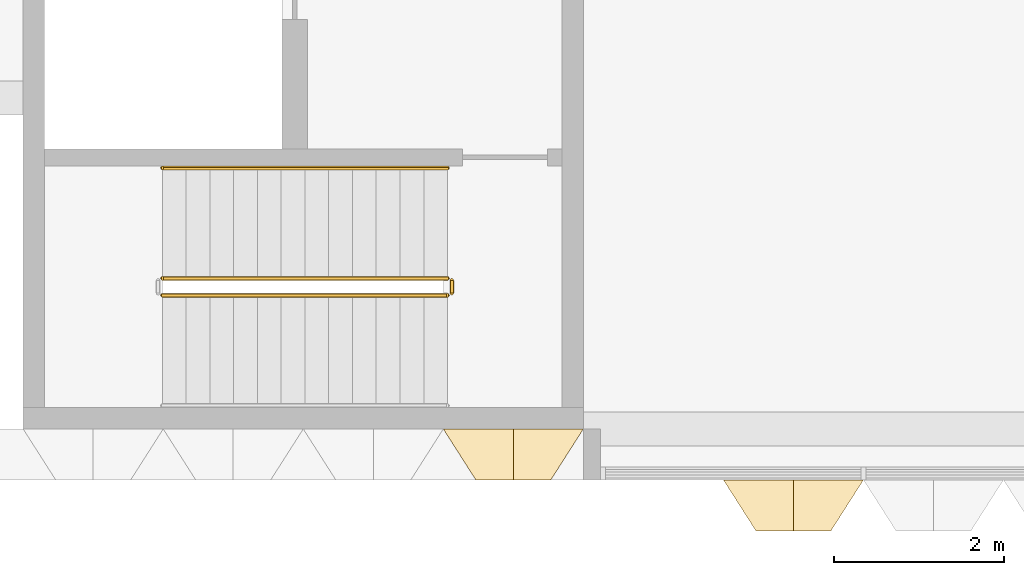
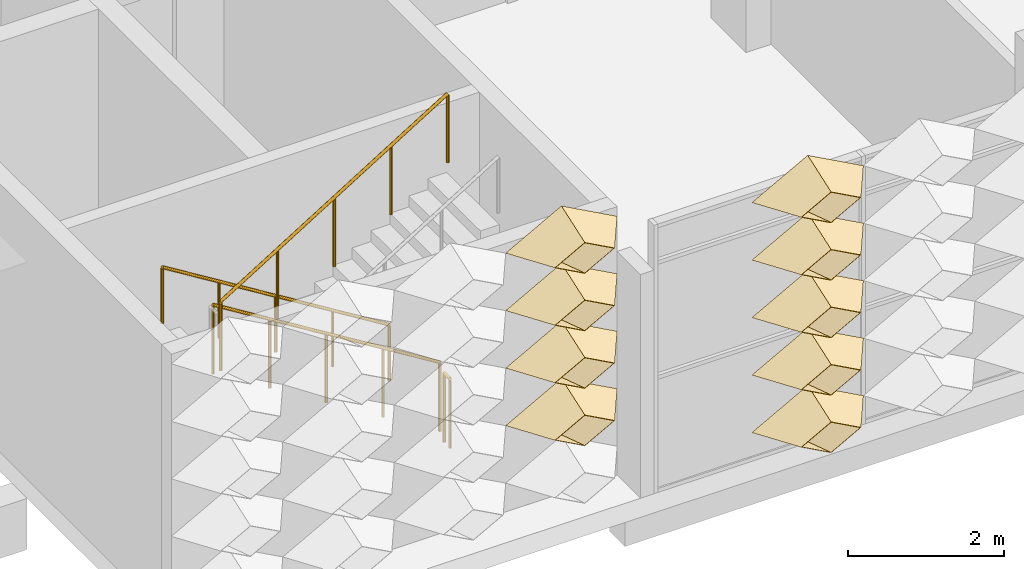
# One storey, part 46 of 87: 9 coverings, 4 railings.
"""IFC4 building model written with IfcOpenShell, lengths in metres."""

from ifc_helpers import new_model, entity, si_unit, direction, frame, origin, origin_2d, place, context, subcontext, project, spatial, circle, extrude, material, layer, layer_set, type_object, element, save


model = new_model("IFC4")

# Units and contexts
model_context = context("Model", 3, precision=1e-05, world=origin(), true_north=direction((0.0, 1.0)))
body_context = subcontext(model_context, "Body", "Model", "MODEL_VIEW")
ifc_project = project(units=[si_unit("LENGTHUNIT", "METRE"), si_unit("AREAUNIT", "SQUARE_METRE"), si_unit("VOLUMEUNIT", "CUBIC_METRE"), si_unit("PLANEANGLEUNIT", "RADIAN"), si_unit("MASSUNIT", "GRAM", prefix="KILO")], contexts=[model_context])

# Site, building, storey
site_placement = place(None, origin())
site = spatial("IfcSite", under=ifc_project, at=site_placement, CompositionType="ELEMENT")
building_placement = place(site_placement, origin())
building = spatial("IfcBuilding", under=site, at=building_placement, Name="Lantern Court Research Institute", CompositionType="ELEMENT")
storey_placement = place(building_placement, frame((0.0, 0.0, 5.39990234375)))
storey = spatial("IfcBuildingStorey", under=building, at=storey_placement, Name="L01", CompositionType="ELEMENT", Elevation=5.39990234375)

# Coverings
ifc_material_1 = material(Name="Anodised aluminium", Category="aluminium")
ifc_layer = layer(ifc_material_1, 0.01611328125)
ifc_layer_set = layer_set([ifc_layer], Name="Anodised aluminium")
covering_type = type_object("IfcCoveringType", Name="Fin cassette 1650 x 900 x 600 aluminium", PredefinedType="CLADDING", material=ifc_layer_set)
covering_1_placement = place(storey_placement, frame((58.574951171875, -7.800048828125, 1.35009765625), z_axis=(0.0, -1.0, 0.0), x_axis=(1.0, 0.0, 0.0)))
cartesian_point_1 = entity("IfcCartesianPoint", [0.824951171875, 0.0])
cartesian_point_2 = entity("IfcCartesianPoint", [0.79150390625, 0.0])
cartesian_point_3 = entity("IfcCartesianPoint", [0.44189453125, 0.0])
cartesian_point_4 = entity("IfcCartesianPoint", [0.43359375, 0.0])
element("IfcCovering", 1, at=covering_1_placement, inside=storey, type_object=covering_type, Name="Fin cassette V5S-L01 2.36", PredefinedType="CLADDING", context=body_context, shape_type="SweptSolid", body=[
    entity("IfcExtrudedAreaSolidTapered", entity("IfcArbitraryProfileDefWithVoids", "AREA", None, entity("IfcPolyline", [cartesian_point_1, entity("IfcCartesianPoint", [0.0, 0.449951171875]), entity("IfcCartesianPoint", [-0.824951171875, 0.0]), entity("IfcCartesianPoint", [0.0, -0.449951171875]), cartesian_point_1]), [entity("IfcPolyline", [cartesian_point_2, entity("IfcCartesianPoint", [0.0, 0.431884765625]), entity("IfcCartesianPoint", [-0.79150390625, 0.0]), entity("IfcCartesianPoint", [0.0, -0.431884765625]), cartesian_point_2])]), entity("IfcAxis2Placement3D", entity("IfcCartesianPoint", [0.0, 0.0, 0.0])), entity("IfcDirection", [0.0, 0.0, 1.0]), 0.60009765625, entity("IfcArbitraryProfileDefWithVoids", "AREA", None, entity("IfcPolyline", [cartesian_point_3, entity("IfcCartesianPoint", [0.0, 0.240966796875]), entity("IfcCartesianPoint", [-0.44189453125, 0.0]), entity("IfcCartesianPoint", [0.0, -0.240966796875]), cartesian_point_3]), [entity("IfcPolyline", [cartesian_point_4, entity("IfcCartesianPoint", [0.0, 0.236572265625]), entity("IfcCartesianPoint", [-0.43359375, 0.0]), entity("IfcCartesianPoint", [0.0, -0.236572265625]), cartesian_point_4])])),
])
covering_2_placement = place(storey_placement, frame((58.574951171875, -7.800048828125, 2.25), z_axis=(0.0, -1.0, 0.0), x_axis=(1.0, 0.0, 0.0)))
cartesian_point_5 = entity("IfcCartesianPoint", [0.824951171875, 0.0])
cartesian_point_6 = entity("IfcCartesianPoint", [0.79150390625, 0.0])
cartesian_point_7 = entity("IfcCartesianPoint", [0.44189453125, 0.0])
cartesian_point_8 = entity("IfcCartesianPoint", [0.43359375, 0.0])
element("IfcCovering", 2, at=covering_2_placement, inside=storey, type_object=covering_type, Name="Fin cassette V5S-L01 3.36", PredefinedType="CLADDING", context=body_context, shape_type="SweptSolid", body=[
    entity("IfcExtrudedAreaSolidTapered", entity("IfcArbitraryProfileDefWithVoids", "AREA", None, entity("IfcPolyline", [cartesian_point_5, entity("IfcCartesianPoint", [0.0, 0.449951171875]), entity("IfcCartesianPoint", [-0.824951171875, 0.0]), entity("IfcCartesianPoint", [0.0, -0.449951171875]), cartesian_point_5]), [entity("IfcPolyline", [cartesian_point_6, entity("IfcCartesianPoint", [0.0, 0.431884765625]), entity("IfcCartesianPoint", [-0.79150390625, 0.0]), entity("IfcCartesianPoint", [0.0, -0.431884765625]), cartesian_point_6])]), entity("IfcAxis2Placement3D", entity("IfcCartesianPoint", [0.0, 0.0, 0.0])), entity("IfcDirection", [0.0, 0.0, 1.0]), 0.60009765625, entity("IfcArbitraryProfileDefWithVoids", "AREA", None, entity("IfcPolyline", [cartesian_point_7, entity("IfcCartesianPoint", [0.0, 0.240966796875]), entity("IfcCartesianPoint", [-0.44189453125, 0.0]), entity("IfcCartesianPoint", [0.0, -0.240966796875]), cartesian_point_7]), [entity("IfcPolyline", [cartesian_point_8, entity("IfcCartesianPoint", [0.0, 0.236572265625]), entity("IfcCartesianPoint", [-0.43359375, 0.0]), entity("IfcCartesianPoint", [0.0, -0.236572265625]), cartesian_point_8])])),
])
covering_3_placement = place(storey_placement, frame((58.574951171875, -7.800048828125, 3.150146484375), z_axis=(0.0, -1.0, 0.0), x_axis=(1.0, 0.0, 0.0)))
cartesian_point_9 = entity("IfcCartesianPoint", [0.824951171875, 0.0])
cartesian_point_10 = entity("IfcCartesianPoint", [0.79150390625, 0.0])
cartesian_point_11 = entity("IfcCartesianPoint", [0.44189453125, 0.0])
cartesian_point_12 = entity("IfcCartesianPoint", [0.43359375, 0.0])
element("IfcCovering", 3, at=covering_3_placement, inside=storey, type_object=covering_type, Name="Fin cassette V5S-L01 4.36", PredefinedType="CLADDING", context=body_context, shape_type="SweptSolid", body=[
    entity("IfcExtrudedAreaSolidTapered", entity("IfcArbitraryProfileDefWithVoids", "AREA", None, entity("IfcPolyline", [cartesian_point_9, entity("IfcCartesianPoint", [0.0, 0.449951171875]), entity("IfcCartesianPoint", [-0.824951171875, 0.0]), entity("IfcCartesianPoint", [0.0, -0.449951171875]), cartesian_point_9]), [entity("IfcPolyline", [cartesian_point_10, entity("IfcCartesianPoint", [0.0, 0.431884765625]), entity("IfcCartesianPoint", [-0.79150390625, 0.0]), entity("IfcCartesianPoint", [0.0, -0.431884765625]), cartesian_point_10])]), entity("IfcAxis2Placement3D", entity("IfcCartesianPoint", [0.0, 0.0, 0.0])), entity("IfcDirection", [0.0, 0.0, 1.0]), 0.60009765625, entity("IfcArbitraryProfileDefWithVoids", "AREA", None, entity("IfcPolyline", [cartesian_point_11, entity("IfcCartesianPoint", [0.0, 0.240966796875]), entity("IfcCartesianPoint", [-0.44189453125, 0.0]), entity("IfcCartesianPoint", [0.0, -0.240966796875]), cartesian_point_11]), [entity("IfcPolyline", [cartesian_point_12, entity("IfcCartesianPoint", [0.0, 0.236572265625]), entity("IfcCartesianPoint", [-0.43359375, 0.0]), entity("IfcCartesianPoint", [0.0, -0.236572265625]), cartesian_point_12])])),
])
covering_4_placement = place(storey_placement, frame((58.574951171875, -7.800048828125, 4.050048828125), z_axis=(0.0, -1.0, 0.0), x_axis=(1.0, 0.0, 0.0)))
cartesian_point_13 = entity("IfcCartesianPoint", [0.824951171875, 0.0])
cartesian_point_14 = entity("IfcCartesianPoint", [0.79150390625, 0.0])
cartesian_point_15 = entity("IfcCartesianPoint", [0.44189453125, 0.0])
cartesian_point_16 = entity("IfcCartesianPoint", [0.43359375, 0.0])
element("IfcCovering", 4, at=covering_4_placement, inside=storey, type_object=covering_type, Name="Fin cassette V5S-L01 5.36", PredefinedType="CLADDING", context=body_context, shape_type="SweptSolid", body=[
    entity("IfcExtrudedAreaSolidTapered", entity("IfcArbitraryProfileDefWithVoids", "AREA", None, entity("IfcPolyline", [cartesian_point_13, entity("IfcCartesianPoint", [0.0, 0.449951171875]), entity("IfcCartesianPoint", [-0.824951171875, 0.0]), entity("IfcCartesianPoint", [0.0, -0.449951171875]), cartesian_point_13]), [entity("IfcPolyline", [cartesian_point_14, entity("IfcCartesianPoint", [0.0, 0.431884765625]), entity("IfcCartesianPoint", [-0.79150390625, 0.0]), entity("IfcCartesianPoint", [0.0, -0.431884765625]), cartesian_point_14])]), entity("IfcAxis2Placement3D", entity("IfcCartesianPoint", [0.0, 0.0, 0.0])), entity("IfcDirection", [0.0, 0.0, 1.0]), 0.60009765625, entity("IfcArbitraryProfileDefWithVoids", "AREA", None, entity("IfcPolyline", [cartesian_point_15, entity("IfcCartesianPoint", [0.0, 0.240966796875]), entity("IfcCartesianPoint", [-0.44189453125, 0.0]), entity("IfcCartesianPoint", [0.0, -0.240966796875]), cartesian_point_15]), [entity("IfcPolyline", [cartesian_point_16, entity("IfcCartesianPoint", [0.0, 0.236572265625]), entity("IfcCartesianPoint", [-0.43359375, 0.0]), entity("IfcCartesianPoint", [0.0, -0.236572265625]), cartesian_point_16])])),
])
covering_5_placement = place(storey_placement, frame((61.875, -8.39990234375, 0.4501953125), z_axis=(0.0, -1.0, 0.0), x_axis=(1.0, 0.0, 0.0)))
cartesian_point_17 = entity("IfcCartesianPoint", [0.824951171875, 0.0])
cartesian_point_18 = entity("IfcCartesianPoint", [0.79150390625, 0.0])
cartesian_point_19 = entity("IfcCartesianPoint", [0.44189453125, 0.0])
cartesian_point_20 = entity("IfcCartesianPoint", [0.43359375, 0.0])
element("IfcCovering", 5, at=covering_5_placement, inside=storey, type_object=covering_type, Name="Fin cassette V5S-L01 1.38", PredefinedType="CLADDING", context=body_context, shape_type="SweptSolid", body=[
    entity("IfcExtrudedAreaSolidTapered", entity("IfcArbitraryProfileDefWithVoids", "AREA", None, entity("IfcPolyline", [cartesian_point_17, entity("IfcCartesianPoint", [0.0, 0.449951171875]), entity("IfcCartesianPoint", [-0.824951171875, 0.0]), entity("IfcCartesianPoint", [0.0, -0.449951171875]), cartesian_point_17]), [entity("IfcPolyline", [cartesian_point_18, entity("IfcCartesianPoint", [0.0, 0.431884765625]), entity("IfcCartesianPoint", [-0.79150390625, 0.0]), entity("IfcCartesianPoint", [0.0, -0.431884765625]), cartesian_point_18])]), entity("IfcAxis2Placement3D", entity("IfcCartesianPoint", [0.0, 0.0, 0.0])), entity("IfcDirection", [0.0, 0.0, 1.0]), 0.60009765625, entity("IfcArbitraryProfileDefWithVoids", "AREA", None, entity("IfcPolyline", [cartesian_point_19, entity("IfcCartesianPoint", [0.0, 0.240966796875]), entity("IfcCartesianPoint", [-0.44189453125, 0.0]), entity("IfcCartesianPoint", [0.0, -0.240966796875]), cartesian_point_19]), [entity("IfcPolyline", [cartesian_point_20, entity("IfcCartesianPoint", [0.0, 0.236572265625]), entity("IfcCartesianPoint", [-0.43359375, 0.0]), entity("IfcCartesianPoint", [0.0, -0.236572265625]), cartesian_point_20])])),
])
covering_6_placement = place(storey_placement, frame((61.875, -8.39990234375, 1.35009765625), z_axis=(0.0, -1.0, 0.0), x_axis=(1.0, 0.0, 0.0)))
cartesian_point_21 = entity("IfcCartesianPoint", [0.824951171875, 0.0])
cartesian_point_22 = entity("IfcCartesianPoint", [0.79150390625, 0.0])
cartesian_point_23 = entity("IfcCartesianPoint", [0.44189453125, 0.0])
cartesian_point_24 = entity("IfcCartesianPoint", [0.43359375, 0.0])
element("IfcCovering", 6, at=covering_6_placement, inside=storey, type_object=covering_type, Name="Fin cassette V5S-L01 2.38", PredefinedType="CLADDING", context=body_context, shape_type="SweptSolid", body=[
    entity("IfcExtrudedAreaSolidTapered", entity("IfcArbitraryProfileDefWithVoids", "AREA", None, entity("IfcPolyline", [cartesian_point_21, entity("IfcCartesianPoint", [0.0, 0.449951171875]), entity("IfcCartesianPoint", [-0.824951171875, 0.0]), entity("IfcCartesianPoint", [0.0, -0.449951171875]), cartesian_point_21]), [entity("IfcPolyline", [cartesian_point_22, entity("IfcCartesianPoint", [0.0, 0.431884765625]), entity("IfcCartesianPoint", [-0.79150390625, 0.0]), entity("IfcCartesianPoint", [0.0, -0.431884765625]), cartesian_point_22])]), entity("IfcAxis2Placement3D", entity("IfcCartesianPoint", [0.0, 0.0, 0.0])), entity("IfcDirection", [0.0, 0.0, 1.0]), 0.60009765625, entity("IfcArbitraryProfileDefWithVoids", "AREA", None, entity("IfcPolyline", [cartesian_point_23, entity("IfcCartesianPoint", [0.0, 0.240966796875]), entity("IfcCartesianPoint", [-0.44189453125, 0.0]), entity("IfcCartesianPoint", [0.0, -0.240966796875]), cartesian_point_23]), [entity("IfcPolyline", [cartesian_point_24, entity("IfcCartesianPoint", [0.0, 0.236572265625]), entity("IfcCartesianPoint", [-0.43359375, 0.0]), entity("IfcCartesianPoint", [0.0, -0.236572265625]), cartesian_point_24])])),
])
covering_7_placement = place(storey_placement, frame((61.875, -8.39990234375, 2.25), z_axis=(0.0, -1.0, 0.0), x_axis=(1.0, 0.0, 0.0)))
cartesian_point_25 = entity("IfcCartesianPoint", [0.824951171875, 0.0])
cartesian_point_26 = entity("IfcCartesianPoint", [0.79150390625, 0.0])
cartesian_point_27 = entity("IfcCartesianPoint", [0.44189453125, 0.0])
cartesian_point_28 = entity("IfcCartesianPoint", [0.43359375, 0.0])
element("IfcCovering", 7, at=covering_7_placement, inside=storey, type_object=covering_type, Name="Fin cassette V5S-L01 3.38", PredefinedType="CLADDING", context=body_context, shape_type="SweptSolid", body=[
    entity("IfcExtrudedAreaSolidTapered", entity("IfcArbitraryProfileDefWithVoids", "AREA", None, entity("IfcPolyline", [cartesian_point_25, entity("IfcCartesianPoint", [0.0, 0.449951171875]), entity("IfcCartesianPoint", [-0.824951171875, 0.0]), entity("IfcCartesianPoint", [0.0, -0.449951171875]), cartesian_point_25]), [entity("IfcPolyline", [cartesian_point_26, entity("IfcCartesianPoint", [0.0, 0.431884765625]), entity("IfcCartesianPoint", [-0.79150390625, 0.0]), entity("IfcCartesianPoint", [0.0, -0.431884765625]), cartesian_point_26])]), entity("IfcAxis2Placement3D", entity("IfcCartesianPoint", [0.0, 0.0, 0.0])), entity("IfcDirection", [0.0, 0.0, 1.0]), 0.60009765625, entity("IfcArbitraryProfileDefWithVoids", "AREA", None, entity("IfcPolyline", [cartesian_point_27, entity("IfcCartesianPoint", [0.0, 0.240966796875]), entity("IfcCartesianPoint", [-0.44189453125, 0.0]), entity("IfcCartesianPoint", [0.0, -0.240966796875]), cartesian_point_27]), [entity("IfcPolyline", [cartesian_point_28, entity("IfcCartesianPoint", [0.0, 0.236572265625]), entity("IfcCartesianPoint", [-0.43359375, 0.0]), entity("IfcCartesianPoint", [0.0, -0.236572265625]), cartesian_point_28])])),
])
covering_8_placement = place(storey_placement, frame((61.875, -8.39990234375, 3.150146484375), z_axis=(0.0, -1.0, 0.0), x_axis=(1.0, 0.0, 0.0)))
cartesian_point_29 = entity("IfcCartesianPoint", [0.824951171875, 0.0])
cartesian_point_30 = entity("IfcCartesianPoint", [0.79150390625, 0.0])
cartesian_point_31 = entity("IfcCartesianPoint", [0.44189453125, 0.0])
cartesian_point_32 = entity("IfcCartesianPoint", [0.43359375, 0.0])
element("IfcCovering", 8, at=covering_8_placement, inside=storey, type_object=covering_type, Name="Fin cassette V5S-L01 4.38", PredefinedType="CLADDING", context=body_context, shape_type="SweptSolid", body=[
    entity("IfcExtrudedAreaSolidTapered", entity("IfcArbitraryProfileDefWithVoids", "AREA", None, entity("IfcPolyline", [cartesian_point_29, entity("IfcCartesianPoint", [0.0, 0.449951171875]), entity("IfcCartesianPoint", [-0.824951171875, 0.0]), entity("IfcCartesianPoint", [0.0, -0.449951171875]), cartesian_point_29]), [entity("IfcPolyline", [cartesian_point_30, entity("IfcCartesianPoint", [0.0, 0.431884765625]), entity("IfcCartesianPoint", [-0.79150390625, 0.0]), entity("IfcCartesianPoint", [0.0, -0.431884765625]), cartesian_point_30])]), entity("IfcAxis2Placement3D", entity("IfcCartesianPoint", [0.0, 0.0, 0.0])), entity("IfcDirection", [0.0, 0.0, 1.0]), 0.60009765625, entity("IfcArbitraryProfileDefWithVoids", "AREA", None, entity("IfcPolyline", [cartesian_point_31, entity("IfcCartesianPoint", [0.0, 0.240966796875]), entity("IfcCartesianPoint", [-0.44189453125, 0.0]), entity("IfcCartesianPoint", [0.0, -0.240966796875]), cartesian_point_31]), [entity("IfcPolyline", [cartesian_point_32, entity("IfcCartesianPoint", [0.0, 0.236572265625]), entity("IfcCartesianPoint", [-0.43359375, 0.0]), entity("IfcCartesianPoint", [0.0, -0.236572265625]), cartesian_point_32])])),
])
covering_9_placement = place(storey_placement, frame((61.875, -8.39990234375, 4.050048828125), z_axis=(0.0, -1.0, 0.0), x_axis=(1.0, 0.0, 0.0)))
cartesian_point_33 = entity("IfcCartesianPoint", [0.824951171875, 0.0])
cartesian_point_34 = entity("IfcCartesianPoint", [0.79150390625, 0.0])
cartesian_point_35 = entity("IfcCartesianPoint", [0.44189453125, 0.0])
cartesian_point_36 = entity("IfcCartesianPoint", [0.43359375, 0.0])
element("IfcCovering", 9, at=covering_9_placement, inside=storey, type_object=covering_type, Name="Fin cassette V5S-L01 5.38", PredefinedType="CLADDING", context=body_context, shape_type="SweptSolid", body=[
    entity("IfcExtrudedAreaSolidTapered", entity("IfcArbitraryProfileDefWithVoids", "AREA", None, entity("IfcPolyline", [cartesian_point_33, entity("IfcCartesianPoint", [0.0, 0.449951171875]), entity("IfcCartesianPoint", [-0.824951171875, 0.0]), entity("IfcCartesianPoint", [0.0, -0.449951171875]), cartesian_point_33]), [entity("IfcPolyline", [cartesian_point_34, entity("IfcCartesianPoint", [0.0, 0.431884765625]), entity("IfcCartesianPoint", [-0.79150390625, 0.0]), entity("IfcCartesianPoint", [0.0, -0.431884765625]), cartesian_point_34])]), entity("IfcAxis2Placement3D", entity("IfcCartesianPoint", [0.0, 0.0, 0.0])), entity("IfcDirection", [0.0, 0.0, 1.0]), 0.60009765625, entity("IfcArbitraryProfileDefWithVoids", "AREA", None, entity("IfcPolyline", [cartesian_point_35, entity("IfcCartesianPoint", [0.0, 0.240966796875]), entity("IfcCartesianPoint", [-0.44189453125, 0.0]), entity("IfcCartesianPoint", [0.0, -0.240966796875]), cartesian_point_35]), [entity("IfcPolyline", [cartesian_point_36, entity("IfcCartesianPoint", [0.0, 0.236572265625]), entity("IfcCartesianPoint", [-0.43359375, 0.0]), entity("IfcCartesianPoint", [0.0, -0.236572265625]), cartesian_point_36])])),
])

# Railings
ifc_material_2 = material(Name="Structural steel S355", Category="steel")
railing_type_1 = type_object("IfcRailingType", Name="Stair guard 1100 steel", PredefinedType="GUARDRAIL", material=ifc_material_2)
railing_1_placement = place(storey_placement, frame((57.800048828125, -6.02490234375, 0.173095703125)))
element("IfcRailing", 10, at=railing_1_placement, inside=storey, type_object=railing_type_1, Name="L01 ST-T1 stair guard 1", PredefinedType="GUARDRAIL", context=body_context, shape_type="SweptSolid", body=[
    extrude(circle(Radius=0.02392578125, at=origin_2d()), frame((0.0, 0.0, 1.076171875), z_axis=(-0.850623216509, 0.0, 0.525775754039), x_axis=(0.0, -1.0, 0.0)), (0.0, 0.0, 1.0), 3.9501953125),
    extrude(circle(Radius=0.02099609375, at=origin_2d()), origin(), (0.0, 0.0, 1.0), 1.052001953125),
    extrude(circle(Radius=0.02099609375, at=origin_2d()), frame((-0.840087890625, 0.0, 0.519287109375)), (0.0, 0.0, 1.0), 1.052001953125),
    extrude(circle(Radius=0.02099609375, at=origin_2d()), frame((-1.68017578125, 0.0, 1.03857421875)), (0.0, 0.0, 1.0), 1.052001953125),
    extrude(circle(Radius=0.02099609375, at=origin_2d()), frame((-2.52001953125, 0.0, 1.5576171875)), (0.0, 0.0, 1.0), 1.052001953125),
    extrude(circle(Radius=0.02099609375, at=origin_2d()), frame((-3.360107421875, 0.0, 2.076904296875)), (0.0, 0.0, 1.0), 1.052001953125),
])
railing_2_placement = place(storey_placement, frame((54.43994140625, -6.22509765625, 2.423095703125)))
element("IfcRailing", 11, at=railing_2_placement, inside=storey, type_object=railing_type_1, Name="L01 ST-T1 stair guard 3", PredefinedType="GUARDRAIL", context=body_context, shape_type="SweptSolid", body=[
    extrude(circle(Radius=0.02392578125, at=origin_2d()), frame((0.0, 0.0, 1.076171875), z_axis=(0.850623216509, 0.0, 0.525775754039), x_axis=(0.0, 1.0, 0.0)), (0.0, 0.0, 1.0), 3.9501953125),
    extrude(circle(Radius=0.02099609375, at=origin_2d()), origin(), (0.0, 0.0, 1.0), 1.052001953125),
    extrude(circle(Radius=0.02099609375, at=origin_2d()), frame((0.840087890625, 0.0, 0.519287109375)), (0.0, 0.0, 1.0), 1.052001953125),
    extrude(circle(Radius=0.02099609375, at=origin_2d()), frame((1.68017578125, 0.0, 1.03857421875)), (0.0, 0.0, 1.0), 1.052001953125),
    extrude(circle(Radius=0.02099609375, at=origin_2d()), frame((2.52001953125, 0.0, 1.5576171875)), (0.0, 0.0, 1.0), 1.052001953125),
    extrude(circle(Radius=0.02099609375, at=origin_2d()), frame((3.360107421875, 0.0, 2.076904296875)), (0.0, 0.0, 1.0), 1.052001953125),
])
railing_3_placement = place(storey_placement, frame((57.85009765625, -6.050048828125, 0.0)))
element("IfcRailing", 12, at=railing_3_placement, inside=storey, type_object=railing_type_1, Name="L01 ST-T1 stair guard 4", PredefinedType="GUARDRAIL", context=body_context, shape_type="SweptSolid", body=[
    extrude(circle(Radius=0.02392578125, at=origin_2d()), frame((0.0, 0.0, 1.076171875), z_axis=(0.0, -1.0, 0.0), x_axis=(1.0, 0.0, 0.0)), (0.0, 0.0, 1.0), 0.14990234375),
    extrude(circle(Radius=0.02099609375, at=origin_2d()), origin(), (0.0, 0.0, 1.0), 1.052001953125),
    extrude(circle(Radius=0.02099609375, at=origin_2d()), frame((0.0, -0.14990234375, 0.0)), (0.0, 0.0, 1.0), 1.052001953125),
])
ifc_material_3 = material(Name="Stainless steel 316", Category="steel")
railing_type_2 = type_object("IfcRailingType", Name="Stair handrail 900 steel", PredefinedType="HANDRAIL", material=ifc_material_3)
railing_4_placement = place(storey_placement, frame((57.800048828125, -4.72509765625, 0.173095703125)))
element("IfcRailing", 13, at=railing_4_placement, inside=storey, type_object=railing_type_2, Name="L01 ST-T1 stair handrail 1", PredefinedType="HANDRAIL", context=body_context, shape_type="SweptSolid", body=[
    extrude(circle(Radius=0.02392578125, at=origin_2d()), frame((0.0, 0.0, 0.8759765625), z_axis=(-0.850623216509, 0.0, 0.525775754039), x_axis=(0.0, -1.0, 0.0)), (0.0, 0.0, 1.0), 3.9501953125),
    extrude(circle(Radius=0.02099609375, at=origin_2d()), origin(), (0.0, 0.0, 1.0), 0.851806640625),
    extrude(circle(Radius=0.02099609375, at=origin_2d()), frame((-0.840087890625, 0.0, 0.519287109375)), (0.0, 0.0, 1.0), 0.851806640625),
    extrude(circle(Radius=0.02099609375, at=origin_2d()), frame((-1.68017578125, 0.0, 1.03857421875)), (0.0, 0.0, 1.0), 0.851806640625),
    extrude(circle(Radius=0.02099609375, at=origin_2d()), frame((-2.52001953125, 0.0, 1.5576171875)), (0.0, 0.0, 1.0), 0.851806640625),
    extrude(circle(Radius=0.02099609375, at=origin_2d()), frame((-3.360107421875, 0.0, 2.076904296875)), (0.0, 0.0, 1.0), 0.851806640625),
])

save(model, "model.ifc")
